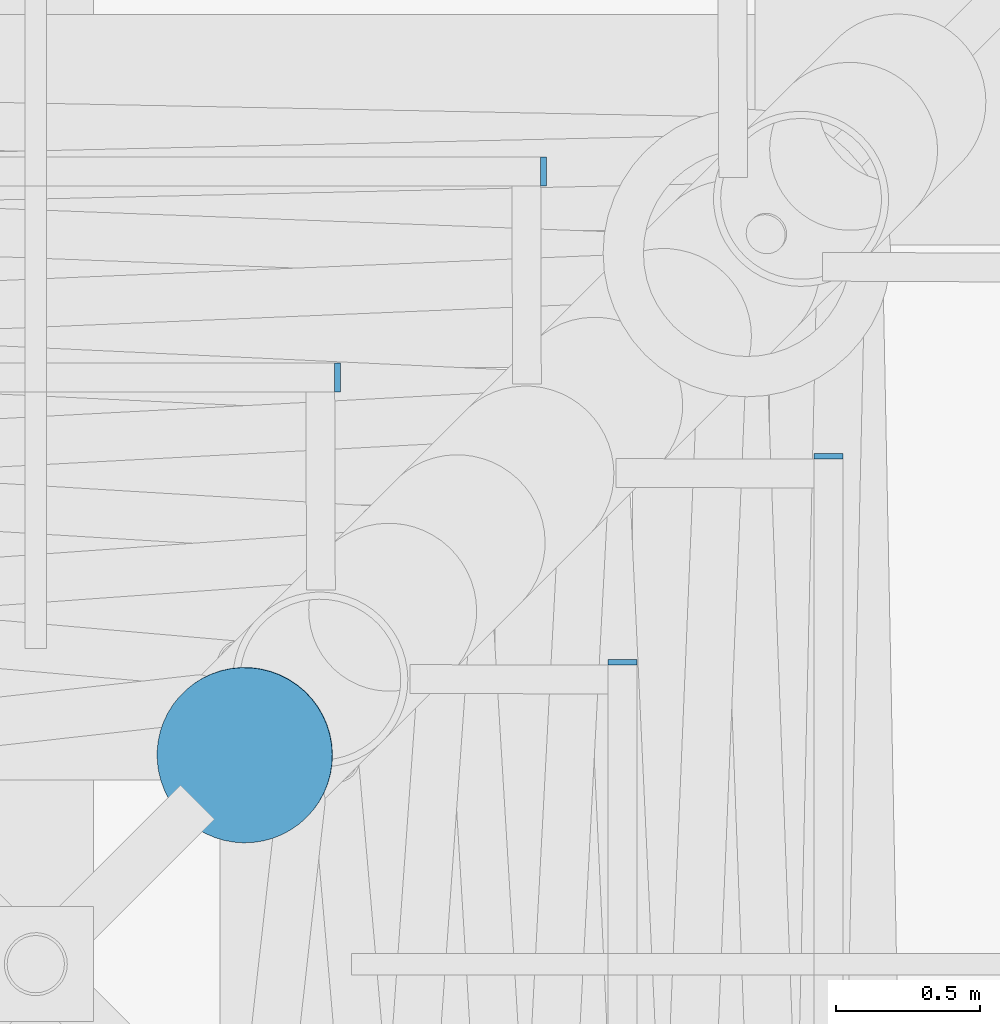
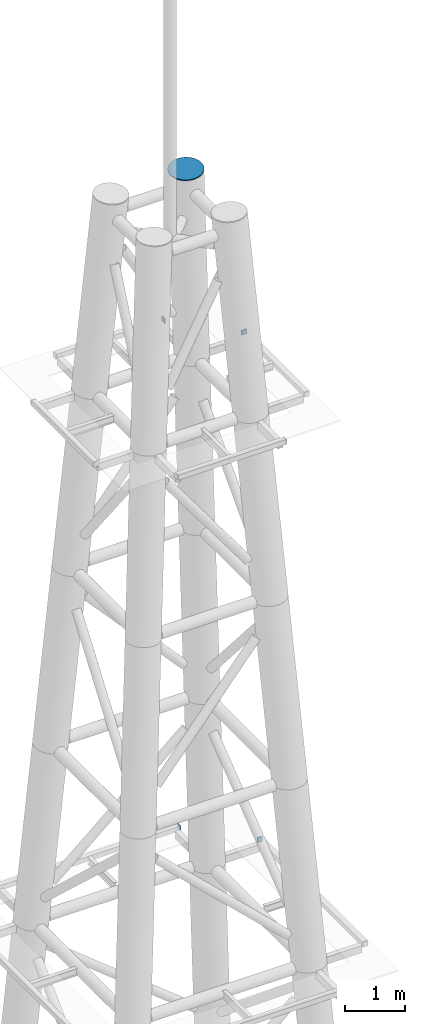
# One storey, part 32 of 36: 5 discrete accessories.
"""IFC4 building model written with IfcOpenShell, lengths in metres."""

import ifcopenshell
import ifcopenshell.guid

model = None  # the IFC model being written
_history = None  # IfcOwnerHistory: only IFC2X3 demands one
_inside = {}  # id of a spatial element -> (the spatial element, [elements in it])
_under = {}  # id of a project, library or spatial element -> (it, [spatial elements below it])
_declared = {}  # id of a project -> (the project, [libraries it declares])
_typed = {}  # id of a type object -> (the type object, [elements of that type])
_made_of = {}  # id of a material, layer set ... -> (it, [elements and type objects made of it])


def new_model(schema):
    """Start an empty IFC model of exactly this schema.

    Asked for "IFC4X3", IfcOpenShell would pick the latest addendum, in which some entities
    have other attributes; the version numbers below select the first issue.
    IFC2X3 requires an IfcOwnerHistory on every rooted entity: one is made here for all.
    """
    global model, _history
    if schema == "IFC4X3":
        model = ifcopenshell.file(schema_version=(4, 3, 0, 0))
    else:
        model = ifcopenshell.file(schema=schema)
    _inside.clear()
    _under.clear()
    _declared.clear()
    _typed.clear()
    _made_of.clear()
    _history = None
    if model.schema == "IFC2X3":
        org = make("IfcOrganization", Name="unknown")
        user = make(
            "IfcPersonAndOrganization",
            ThePerson=make("IfcPerson", FamilyName="unknown"),
            TheOrganization=org,
        )
        app = make(
            "IfcApplication",
            ApplicationDeveloper=org,
            Version="unknown",
            ApplicationFullName="unknown",
            ApplicationIdentifier="unknown",
        )
        _history = make(
            "IfcOwnerHistory",
            OwningUser=user,
            OwningApplication=app,
            ChangeAction="ADDED",
            CreationDate=0,
        )
    return model


def make(cls, **values):
    """One entity of the class cls with the attributes given. An attribute that is None is left unset."""
    return model.create_entity(
        cls, **{name: value for name, value in values.items() if value is not None}
    )


def rooted(cls, **values):
    """An entity with a GlobalId (a new one), such as an element, a storey or a relation."""
    return make(cls, GlobalId=ifcopenshell.guid.new(), OwnerHistory=_history, **values)


def si_unit(unit_type, name, prefix=None):
    """IfcSIUnit, for example si_unit("LENGTHUNIT", "METRE", prefix="MILLI")."""
    return make("IfcSIUnit", UnitType=unit_type, Prefix=prefix, Name=name)


def assignment(units):
    """IfcUnitAssignment: the units of a project."""
    return None if units is None else make("IfcUnitAssignment", Units=units)


def point(xyz):
    """IfcCartesianPoint."""
    return None if xyz is None else make("IfcCartesianPoint", Coordinates=xyz)


def direction(xyz):
    """IfcDirection."""
    return None if xyz is None else make("IfcDirection", DirectionRatios=xyz)


def frame(location, z_axis=None, x_axis=None):
    """IfcAxis2Placement3D, a coordinate frame: its origin and axes. An axis left out is left unset."""
    return make(
        "IfcAxis2Placement3D",
        Location=point(location),
        Axis=direction(z_axis),
        RefDirection=direction(x_axis),
    )


def frame_2d(location, x_axis=None):
    """IfcAxis2Placement2D, a coordinate frame in the plane: its origin and x axis."""
    return make(
        "IfcAxis2Placement2D", Location=point(location), RefDirection=direction(x_axis)
    )


def origin():
    """The frame at (0, 0, 0) with its axes left unset."""
    return frame((0.0, 0.0, 0.0))


def origin_2d():
    """The frame at (0, 0) in the plane with its x axis left unset."""
    return frame_2d((0.0, 0.0))


def place(relative_to, where):
    """IfcLocalPlacement: puts the frame where relative to a parent placement (None: the world)."""
    return make(
        "IfcLocalPlacement", PlacementRelTo=relative_to, RelativePlacement=where
    )


def context(
    kind, dimensions, precision=None, world=None, true_north=None, identifier=None
):
    """IfcGeometricRepresentationContext, for example the 3D "Model" context."""
    return make(
        "IfcGeometricRepresentationContext",
        ContextIdentifier=identifier,
        ContextType=kind,
        CoordinateSpaceDimension=dimensions,
        Precision=precision,
        WorldCoordinateSystem=world,
        TrueNorth=true_north,
    )


def subcontext(parent, identifier, kind, view, scale=None):
    """IfcGeometricRepresentationSubContext, for example "Body" below "Model"."""
    return make(
        "IfcGeometricRepresentationSubContext",
        ContextIdentifier=identifier,
        ContextType=kind,
        ParentContext=parent,
        TargetScale=scale,
        TargetView=view,
    )


def project(units=None, contexts=None):
    """IfcProject with its units and contexts."""
    return rooted(
        "IfcProject",
        Name="project",
        RepresentationContexts=contexts,
        UnitsInContext=assignment(units),
    )


def spatial(cls, under=None, at=None, **own):
    """A site, building, storey or space (cls), placed at a placement, below another one or the project."""
    s = rooted(cls, ObjectPlacement=at, **own)
    if under is not None:
        _under.setdefault(under.id(), (under, []))[1].append(s)
    return s


def profile(cls, at=None, kind="AREA", **sizes):
    """A parametric profile (cls). Its sizes go by their IFC names, for example OverallWidth=200.0."""
    return make(cls, ProfileType=kind, Position=at, **sizes)


def rectangle(**sizes):
    """IfcRectangleProfileDef."""
    return profile("IfcRectangleProfileDef", **sizes)


def circle(**sizes):
    """IfcCircleProfileDef."""
    return profile("IfcCircleProfileDef", **sizes)


def extrude(swept, where, along, depth):
    """IfcExtrudedAreaSolid: the profile swept, set in the frame where, extruded along a direction by depth."""
    return make(
        "IfcExtrudedAreaSolid",
        SweptArea=swept,
        Position=where,
        ExtrudedDirection=direction(along),
        Depth=depth,
    )


def shape(context_of_items, identifier, shape_type, items):
    """IfcShapeRepresentation: the items that make up one representation, for example the "Body"."""
    return make(
        "IfcShapeRepresentation",
        ContextOfItems=context_of_items,
        RepresentationIdentifier=identifier,
        RepresentationType=shape_type,
        Items=items,
    )


def material(Name=None, Category=None):
    """IfcMaterial."""
    return make("IfcMaterial", Name=Name, Category=Category)


def material_profile(
    of_material, cross_section, Name=None, Category=None, Priority=None
):
    """IfcMaterialProfile: a cross section and its material."""
    return make(
        "IfcMaterialProfile",
        Name=Name,
        Material=of_material,
        Profile=cross_section,
        Priority=Priority,
        Category=Category,
    )


def profile_set(profiles, Name=None, composite=None):
    """IfcMaterialProfileSet."""
    return make(
        "IfcMaterialProfileSet",
        Name=Name,
        MaterialProfiles=profiles,
        CompositeProfile=composite,
    )


def made_of(thing, what):
    """Note that an element or type object is made of a material, layer set ...; save() writes the relation."""
    if what is not None:
        _made_of.setdefault(what.id(), (what, []))[1].append(thing)
    return thing


def type_object(cls, material=None, **own):
    """A type object (cls), such as IfcWallType, which elements share."""
    return made_of(rooted(cls, **own), material)


def element(
    cls,
    number,
    at=None,
    inside=None,
    cuts=None,
    type_object=None,
    material=None,
    context=None,
    identifier="Body",
    shape_type=None,
    held_by="IfcProductDefinitionShape",
    body=None,
    shapes=None,
    **own,
):
    """One element of the class cls, such as IfcWall. Its Tag is "e" and its number.

    at: its placement. inside: the storey or other place that contains it. cuts: it is an
    opening in that element (IfcRelVoidsElement). A single representation is given by context,
    identifier, shape_type and body (its items); several are given by shapes. held_by: the class
    of the entity that holds the representations. save() writes the other relations.
    """
    e = rooted(cls, Tag="e%d" % number, ObjectPlacement=at, **own)
    if body is not None:
        shapes = [shape(context, identifier, shape_type, body)]
    if shapes is not None:
        e.Representation = make(held_by, Representations=shapes)
    if inside is not None:
        _inside.setdefault(inside.id(), (inside, []))[1].append(e)
    if cuts is not None:
        rooted(
            "IfcRelVoidsElement", RelatingBuildingElement=cuts, RelatedOpeningElement=e
        )
    if type_object is not None:
        _typed.setdefault(type_object.id(), (type_object, []))[1].append(e)
    return made_of(e, material)


def aggregate(whole, parts):
    """IfcRelAggregates: a whole, such as a stair, and the parts it consists of."""
    return rooted("IfcRelAggregates", RelatingObject=whole, RelatedObjects=parts)


def save(model, path):
    """Write the relations noted so far, then the file.

    IfcRelAggregates (storeys below a building ...), IfcRelContainedInSpatialStructure (elements
    in a storey), IfcRelDefinesByType, IfcRelAssociatesMaterial and IfcRelDeclares: one each for
    every whole, place, type object, material and project.
    """
    for whole, parts in _under.values():
        aggregate(whole, parts)
    for where, things in _inside.values():
        rooted(
            "IfcRelContainedInSpatialStructure",
            RelatedElements=things,
            RelatingStructure=where,
        )
    for kind, things in _typed.values():
        rooted("IfcRelDefinesByType", RelatedObjects=things, RelatingType=kind)
    for what, things in _made_of.values():
        rooted("IfcRelAssociatesMaterial", RelatedObjects=things, RelatingMaterial=what)
    for by, libraries in _declared.values():
        rooted("IfcRelDeclares", RelatingContext=by, RelatedDefinitions=libraries)
    model.write(path)


model = new_model("IFC4")

# Units and contexts
model_context = context("Model", 3, precision=1e-05, world=origin(), true_north=direction((0.0, 1.0)))
body_context = subcontext(model_context, "Body", "Model", "MODEL_VIEW")
ifc_project = project(units=[si_unit("LENGTHUNIT", "METRE"), si_unit("AREAUNIT", "SQUARE_METRE"), si_unit("VOLUMEUNIT", "CUBIC_METRE"), si_unit("PLANEANGLEUNIT", "RADIAN"), si_unit("MASSUNIT", "GRAM", prefix="KILO")], contexts=[model_context])

# Site, building, storey
site_placement = place(None, origin())
site = spatial("IfcSite", under=ifc_project, at=site_placement, CompositionType="ELEMENT")
building_placement = place(site_placement, origin())
building = spatial("IfcBuilding", under=site, at=building_placement, Name="Ipe Terrace Towers", CompositionType="ELEMENT")
storey_placement = place(building_placement, frame((0.0, 0.0, 264.89990234375)))
storey = spatial("IfcBuildingStorey", under=building, at=storey_placement, Name="Roof", CompositionType="ELEMENT", Elevation=264.89990234375)

# Discrete accessories
ifc_material_1 = material(Name="Steel S355", Category="steel")
ifc_material_profile_1 = material_profile(ifc_material_1, rectangle(XDim=0.10009765625, YDim=0.10009765625, at=origin_2d()), Name="MAST END PLATE 100 x 100 x 20")
ifc_profile_set_1 = profile_set([ifc_material_profile_1], Name="Steel S355")
discrete_accessory_type_1 = type_object("IfcDiscreteAccessoryType", Name="MAST END PLATE 100 x 100 x 20", PredefinedType="BRACKET", material=ifc_profile_set_1)
for number, where, z_axis, x_axis, name in (
    (1, (38.7548828125, 1.7548828125, 21.31005859375), (0.0, 1.0, 0.0), (-1.0, 0.0, 0.0), "mast end plate"),
    (2, (37.7548828125, 2.7548828125, 21.31005859375), (1.0, 0.0, 0.0), (0.0, 1.0, 0.0), "mast end plate"),
    (3, (38.0390625, 1.0390625, 32.3720703125), (0.0, 1.0, 0.0), (-1.0, 0.0, 0.0), "mast end plate"),
    (4, (37.0390625, 2.0390625, 32.3720703125), (1.0, 0.0, 0.0), (0.0, 1.0, 0.0), "mast end plate"),
):
    element("IfcDiscreteAccessory", number, at=place(storey_placement, frame(where, z_axis=z_axis, x_axis=x_axis)), inside=storey, type_object=discrete_accessory_type_1, Name=name, PredefinedType="BRACKET", context=body_context, shape_type="SweptSolid", body=[
        extrude(rectangle(XDim=0.10009765625, YDim=0.10009765625, at=origin_2d()), origin(), (0.0, 0.0, 1.0), 0.02001953125),
    ])
ifc_material_2 = material(Name="Steel S355", Category="steel")
ifc_material_profile_2 = material_profile(ifc_material_2, circle(Radius=0.304931640625, at=origin_2d()), Name="MAST END PLATE 610 DIA x 20")
ifc_profile_set_2 = profile_set([ifc_material_profile_2], Name="Steel S355")
discrete_accessory_type_2 = type_object("IfcDiscreteAccessoryType", Name="MAST END PLATE 610 DIA x 20", PredefinedType="BRACKET", material=ifc_profile_set_2)
discrete_accessory_placement = place(storey_placement, frame((36.72705078125, 0.72705078125, 36.35009765625), z_axis=(-0.048664825549, -0.048664825549, 0.997628923753), x_axis=(0.707106781187, -0.707106781187, 0.0)))
element("IfcDiscreteAccessory", 5, at=discrete_accessory_placement, inside=storey, type_object=discrete_accessory_type_2, Name="mast end plate", PredefinedType="BRACKET", context=body_context, shape_type="SweptSolid", body=[
    extrude(circle(Radius=0.304931640625, at=origin_2d()), origin(), (0.0, 0.0, 1.0), 0.02001953125),
])

save(model, "model.ifc")
